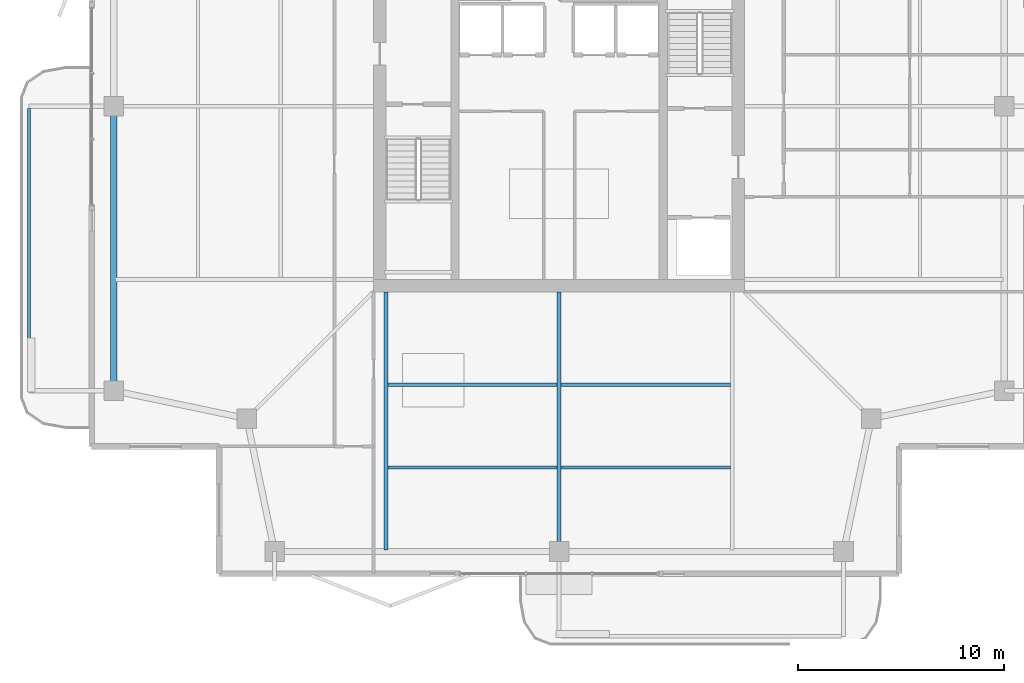
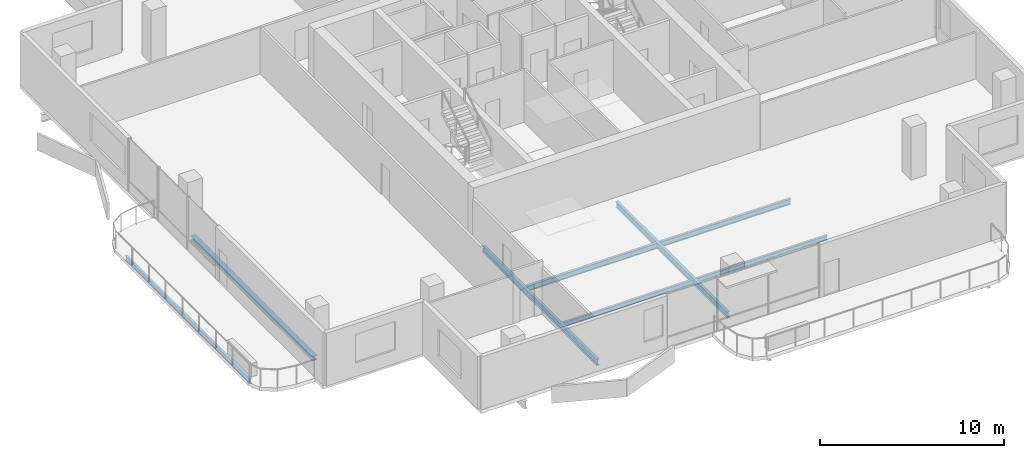
# One storey, part 4 of 18: 8 beams.
"""IFC4 building model written with IfcOpenShell, lengths in metres."""

from ifc_helpers import new_model, si_unit, direction, frame, origin, origin_2d, place, context, subcontext, project, spatial, i_section, extrude, material, material_profile, profile_set, type_object, element, save


model = new_model("IFC4")

# Units and contexts
model_context = context("Model", 3, precision=1e-05, world=origin(), true_north=direction((0.0, 1.0)))
body_context = subcontext(model_context, "Body", "Model", "MODEL_VIEW")
ifc_project = project(units=[si_unit("LENGTHUNIT", "METRE"), si_unit("AREAUNIT", "SQUARE_METRE"), si_unit("VOLUMEUNIT", "CUBIC_METRE"), si_unit("PLANEANGLEUNIT", "RADIAN"), si_unit("MASSUNIT", "GRAM", prefix="KILO")], contexts=[model_context])

# Site, building, storey
site_placement = place(None, origin())
site = spatial("IfcSite", under=ifc_project, at=site_placement, CompositionType="ELEMENT")
building_placement = place(site_placement, origin())
building = spatial("IfcBuilding", under=site, at=building_placement, Name="Belovzor Exchange Tower", CompositionType="ELEMENT")
storey_placement = place(building_placement, frame((0.0, 0.0, 318.0)))
storey = spatial("IfcBuildingStorey", under=building, at=storey_placement, Name="L79", CompositionType="ELEMENT", Elevation=318.0)

# Beams
ifc_material_1 = material(Name="Steel S355", Category="steel")
ifc_material_profile_1 = material_profile(ifc_material_1, i_section(OverallWidth=0.14990234375, OverallDepth=0.300048828125, WebThickness=0.007080078125, FlangeThickness=0.0107421875, at=origin_2d()))
ifc_profile_set_1 = profile_set([ifc_material_profile_1], Name="Steel S355")
beam_type_1 = type_object("IfcBeamType", Name="Planted Balcony Fascia Edge Beam IPE 300", PredefinedType="BEAM", material=ifc_profile_set_1)
beam_1_placement = place(storey_placement, frame((3.089111328125, 28.699951171875, -0.389892578125), z_axis=(0.0, -1.0, 0.0), x_axis=(1.0, 0.0, 0.0)))
element("IfcBeam", 1, at=beam_1_placement, inside=storey, type_object=beam_type_1, Name="BC-300 Planted Balcony Fascia Edge Beam IPE 300", PredefinedType="BEAM", context=body_context, shape_type="SweptSolid", body=[
    extrude(i_section(OverallWidth=0.14990234375, OverallDepth=0.300048828125, WebThickness=0.007080078125, FlangeThickness=0.0107421875, at=origin_2d()), origin(), (0.0, 0.0, 1.0), 13.599853515625),
])
ifc_material_2 = material(Name="Steel S355", Category="steel")
ifc_material_profile_2 = material_profile(ifc_material_2, i_section(OverallWidth=0.169921875, OverallDepth=0.360107421875, WebThickness=0.008056640625, FlangeThickness=0.0126953125, at=origin_2d()))
ifc_profile_set_2 = profile_set([ifc_material_profile_2], Name="Steel S355")
beam_type_2 = type_object("IfcBeamType", Name="Secondary Infill Floor Joist IPE 360", PredefinedType="BEAM", material=ifc_profile_set_2)
beam_2_placement = place(storey_placement, frame((20.489990234375, 15.291015625, -0.419921875), z_axis=(1.0, 0.0, 0.0), x_axis=(0.0, 1.0, 0.0)))
element("IfcBeam", 2, at=beam_2_placement, inside=storey, type_object=beam_type_2, Name="FJ-360 Secondary Infill Floor Joist IPE 360", PredefinedType="BEAM", context=body_context, shape_type="SweptSolid", body=[
    extrude(i_section(OverallWidth=0.169921875, OverallDepth=0.360107421875, WebThickness=0.008056640625, FlangeThickness=0.0126953125, at=origin_2d()), origin(), (0.0, 0.0, 1.0), 8.219970703125),
])
beam_3_placement = place(storey_placement, frame((28.889892578125, 15.291015625, -0.419921875), z_axis=(1.0, 0.0, 0.0), x_axis=(0.0, 1.0, 0.0)))
element("IfcBeam", 3, at=beam_3_placement, inside=storey, type_object=beam_type_2, Name="FJ-360 Secondary Infill Floor Joist IPE 360", PredefinedType="BEAM", context=body_context, shape_type="SweptSolid", body=[
    extrude(i_section(OverallWidth=0.169921875, OverallDepth=0.360107421875, WebThickness=0.008056640625, FlangeThickness=0.0126953125, at=origin_2d()), origin(), (0.0, 0.0, 1.0), 8.22021484375),
])
ifc_material_3 = material(Name="Steel S355", Category="steel")
ifc_material_profile_3 = material_profile(ifc_material_3, i_section(OverallWidth=0.14990234375, OverallDepth=0.300048828125, WebThickness=0.007080078125, FlangeThickness=0.0107421875, at=origin_2d()))
ifc_profile_set_3 = profile_set([ifc_material_profile_3], Name="Steel S355")
beam_type_3 = type_object("IfcBeamType", Name="Secondary Trim Floor Joist IPE 300", PredefinedType="BEAM", material=ifc_profile_set_3)
beam_4_placement = place(storey_placement, frame((20.489990234375, 11.282958984375, -0.389892578125), z_axis=(1.0, 0.0, 0.0), x_axis=(0.0, 1.0, 0.0)))
element("IfcBeam", 4, at=beam_4_placement, inside=storey, type_object=beam_type_3, Name="FJ-300 Secondary Trim Floor Joist IPE 300", PredefinedType="BEAM", context=body_context, shape_type="SweptSolid", body=[
    extrude(i_section(OverallWidth=0.14990234375, OverallDepth=0.300048828125, WebThickness=0.007080078125, FlangeThickness=0.0107421875, at=origin_2d()), origin(), (0.0, 0.0, 1.0), 8.219970703125),
])
beam_5_placement = place(storey_placement, frame((28.889892578125, 11.282958984375, -0.389892578125), z_axis=(1.0, 0.0, 0.0), x_axis=(0.0, 1.0, 0.0)))
element("IfcBeam", 5, at=beam_5_placement, inside=storey, type_object=beam_type_3, Name="FJ-300 Secondary Trim Floor Joist IPE 300", PredefinedType="BEAM", context=body_context, shape_type="SweptSolid", body=[
    extrude(i_section(OverallWidth=0.14990234375, OverallDepth=0.300048828125, WebThickness=0.007080078125, FlangeThickness=0.0107421875, at=origin_2d()), origin(), (0.0, 0.0, 1.0), 8.22021484375),
])
ifc_material_4 = material(Name="Steel S355", Category="steel")
ifc_material_profile_4 = material_profile(ifc_material_4, i_section(OverallWidth=0.179931640625, OverallDepth=0.39990234375, WebThickness=0.008544921875, FlangeThickness=0.013427734375, at=origin_2d()))
ifc_profile_set_4 = profile_set([ifc_material_profile_4], Name="Steel S355")
beam_type_4 = type_object("IfcBeamType", Name="Zone 5-6 Radial Composite Floor Beam IPE 400", PredefinedType="BEAM", material=ifc_profile_set_4)
beam_6_placement = place(storey_placement, frame((20.39990234375, 19.800048828125, -0.43994140625), z_axis=(0.0, -1.0, 0.0), x_axis=(1.0, 0.0, 0.0)))
element("IfcBeam", 6, at=beam_6_placement, inside=storey, type_object=beam_type_4, Name="FB-400 Zone 5-6 Radial Composite Floor Beam IPE 400", PredefinedType="BEAM", context=body_context, shape_type="SweptSolid", body=[
    extrude(i_section(OverallWidth=0.179931640625, OverallDepth=0.39990234375, WebThickness=0.008544921875, FlangeThickness=0.013427734375, at=origin_2d()), origin(), (0.0, 0.0, 1.0), 12.525146484375),
])
beam_7_placement = place(storey_placement, frame((28.800048828125, 19.800048828125, -0.43994140625), z_axis=(0.0, -1.0, 0.0), x_axis=(1.0, 0.0, 0.0)))
element("IfcBeam", 7, at=beam_7_placement, inside=storey, type_object=beam_type_4, Name="FB-400 Zone 5-6 Radial Composite Floor Beam IPE 400", PredefinedType="BEAM", context=body_context, shape_type="SweptSolid", body=[
    extrude(i_section(OverallWidth=0.179931640625, OverallDepth=0.39990234375, WebThickness=0.008544921875, FlangeThickness=0.013427734375, at=origin_2d()), origin(), (0.0, 0.0, 1.0), 12.18212890625),
])
ifc_material_5 = material(Name="Steel S355", Category="steel")
ifc_material_profile_5 = material_profile(ifc_material_5, i_section(OverallWidth=0.300048828125, OverallDepth=0.300048828125, WebThickness=0.008544921875, FlangeThickness=0.013916015625, at=origin_2d()))
ifc_profile_set_5 = profile_set([ifc_material_profile_5], Name="Steel S355")
beam_type_5 = type_object("IfcBeamType", Name="Zone 6 Primary Girder HEA 300", PredefinedType="BEAM", material=ifc_profile_set_5)
beam_8_placement = place(storey_placement, frame((7.199951171875, 28.5390625, -0.389892578125), z_axis=(0.0, -1.0, 0.0), x_axis=(1.0, 0.0, 0.0)))
element("IfcBeam", 8, at=beam_8_placement, inside=storey, type_object=beam_type_5, Name="FG-Z6 Zone 6 Primary Girder HEA 300", PredefinedType="BEAM", context=body_context, shape_type="SweptSolid", body=[
    extrude(i_section(OverallWidth=0.300048828125, OverallDepth=0.300048828125, WebThickness=0.008544921875, FlangeThickness=0.013916015625, at=origin_2d()), origin(), (0.0, 0.0, 1.0), 13.278076171875),
])

save(model, "model.ifc")
